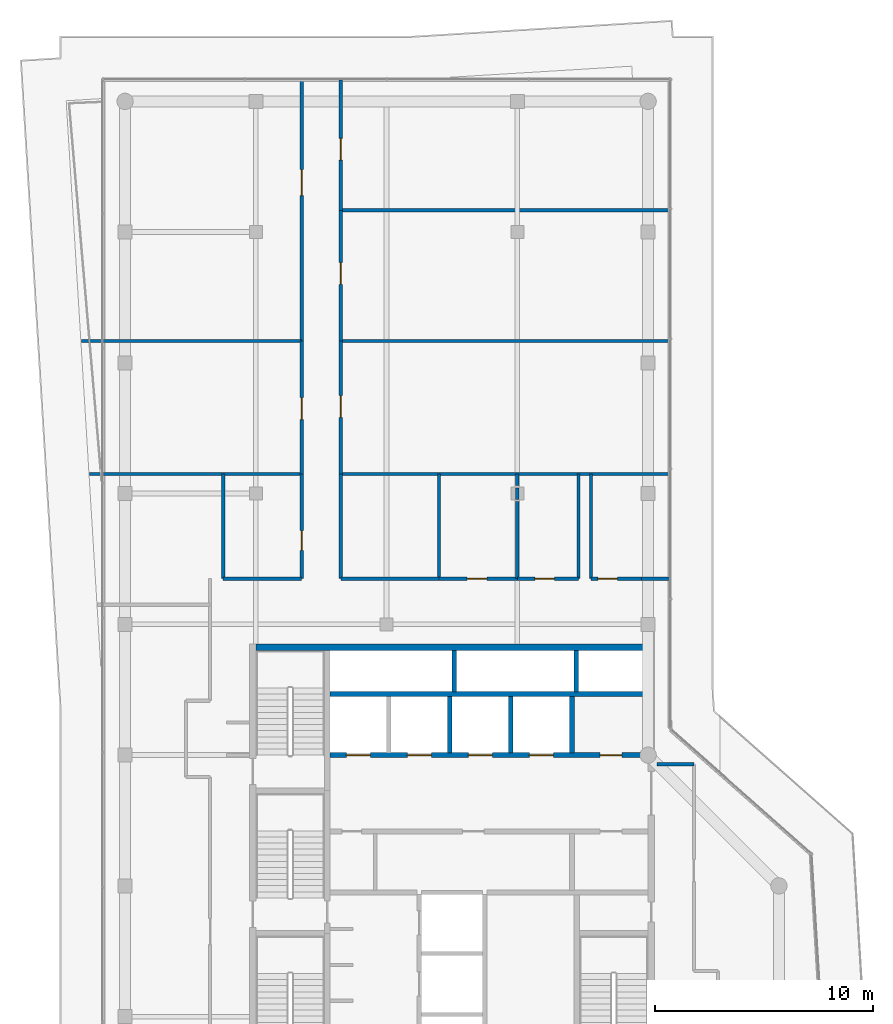
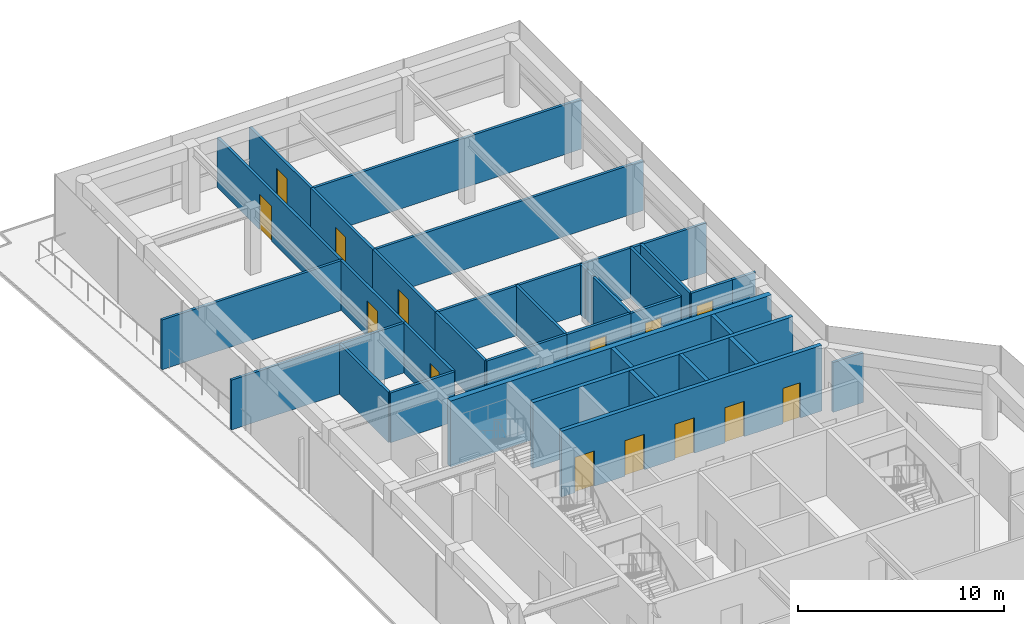
# One storey, part 19 of 22: 34 walls, 14 doors, 14 openings.
"""IFC4 building model written with IfcOpenShell, lengths in metres."""

from ifc_helpers import new_model, si_unit, direction, frame, frame_2d, origin, place, context, subcontext, project, spatial, rectangle, extrude, material, layer, layer_set, type_object, element, fill, save


model = new_model("IFC4")

# Units and contexts
model_context = context("Model", 3, precision=1e-05, world=origin(), true_north=direction((0.0, 1.0)))
body_context = subcontext(model_context, "Body", "Model", "MODEL_VIEW")
ifc_project = project(units=[si_unit("LENGTHUNIT", "METRE"), si_unit("AREAUNIT", "SQUARE_METRE"), si_unit("VOLUMEUNIT", "CUBIC_METRE"), si_unit("PLANEANGLEUNIT", "RADIAN"), si_unit("MASSUNIT", "GRAM", prefix="KILO")], contexts=[model_context])

# Site, building, storey
site_placement = place(None, origin())
site = spatial("IfcSite", under=ifc_project, at=site_placement, CompositionType="ELEMENT")
building_placement = place(site_placement, origin())
building = spatial("IfcBuilding", under=site, at=building_placement, Name="Welwitschia Terrace Campus", CompositionType="ELEMENT")
storey_placement = place(building_placement, frame((0.0, 0.0, 318.800048828125)))
storey = spatial("IfcBuildingStorey", under=building, at=storey_placement, Name="L71", CompositionType="ELEMENT", Elevation=318.800048828125)

# Wall, openings, doors
ifc_material_1 = material(Name="Concrete C32/40", Category="concrete")
ifc_layer_1 = layer(ifc_material_1, 0.22509765625)
ifc_layer_set_1 = layer_set([ifc_layer_1], Name="Concrete C32/40")
wall_type_1 = type_object("IfcWallType", Name="Core partition 225 Concrete C32/40", PredefinedType="PARTITIONING", material=ifc_layer_set_1)
wall_1_placement = place(storey_placement, frame((24.0, 20.0, 0.0), z_axis=(0.0, 0.0, 1.0), x_axis=(-1.0, 0.0, 0.0)))
wall_1 = element("IfcWall", 1, at=wall_1_placement, inside=storey, type_object=wall_type_1, Name="Shaft wall", PredefinedType="PARTITIONING", context=body_context, shape_type="SweptSolid", body=[
    extrude(rectangle(XDim=14.60009765625, YDim=0.22509765625, at=frame_2d((7.300048828125, 0.0))), origin(), (0.0, 0.0, 1.0), 3.89990234375),
])
opening_1_placement = place(wall_1_placement, frame((12.75, 0.0, 0.0)))
opening_1 = element("IfcOpeningElement", 2, at=opening_1_placement, cuts=wall_1, Name="Opening LD", PredefinedType="OPENING", context=body_context, shape_type="SweptSolid", body=[
    extrude(rectangle(XDim=1.10009765625, YDim=2.10009765625, at=frame_2d((0.550048828125, 1.050048828125))), frame((0.0, 0.12255859375, 0.0), z_axis=(0.0, -1.0, 0.0), x_axis=(1.0, 0.0, 0.0)), (0.0, 0.0, 1.0), 0.2451171875),
])
opening_2_placement = place(wall_1_placement, frame((9.949951171875, 0.0, 0.0)))
opening_2 = element("IfcOpeningElement", 3, at=opening_2_placement, cuts=wall_1, Name="Opening LD", PredefinedType="OPENING", context=body_context, shape_type="SweptSolid", body=[
    extrude(rectangle(XDim=1.10009765625, YDim=2.10009765625, at=frame_2d((0.550048828125, 1.050048828125))), frame((0.0, 0.12255859375, 0.0), z_axis=(0.0, -1.0, 0.0), x_axis=(1.0, 0.0, 0.0)), (0.0, 0.0, 1.0), 0.2451171875),
])
opening_3_placement = place(wall_1_placement, frame((7.14990234375, 0.0, 0.0)))
opening_3 = element("IfcOpeningElement", 4, at=opening_3_placement, cuts=wall_1, Name="Opening LD", PredefinedType="OPENING", context=body_context, shape_type="SweptSolid", body=[
    extrude(rectangle(XDim=1.10009765625, YDim=2.10009765625, at=frame_2d((0.550048828125, 1.050048828125))), frame((0.0, 0.12255859375, 0.0), z_axis=(0.0, -1.0, 0.0), x_axis=(1.0, 0.0, 0.0)), (0.0, 0.0, 1.0), 0.2451171875),
])
opening_4_placement = place(wall_1_placement, frame((4.35009765625, 0.0, 0.0)))
opening_4 = element("IfcOpeningElement", 5, at=opening_4_placement, cuts=wall_1, Name="Opening LD", PredefinedType="OPENING", context=body_context, shape_type="SweptSolid", body=[
    extrude(rectangle(XDim=1.10009765625, YDim=2.10009765625, at=frame_2d((0.550048828125, 1.050048828125))), frame((0.0, 0.12255859375, 0.0), z_axis=(0.0, -1.0, 0.0), x_axis=(1.0, 0.0, 0.0)), (0.0, 0.0, 1.0), 0.2451171875),
])
opening_5_placement = place(wall_1_placement, frame((1.199951171875, 0.0, 0.0)))
opening_5 = element("IfcOpeningElement", 6, at=opening_5_placement, cuts=wall_1, Name="Opening DR10", PredefinedType="OPENING", context=body_context, shape_type="SweptSolid", body=[
    extrude(rectangle(XDim=1.0, YDim=2.10009765625, at=frame_2d((0.5, 1.050048828125))), frame((0.0, 0.12255859375, 0.0), z_axis=(0.0, -1.0, 0.0), x_axis=(1.0, 0.0, 0.0)), (0.0, 0.0, 1.0), 0.2451171875),
])
ifc_material_2 = material(Name="Steel S275", Category="steel")
door_type_1 = type_object("IfcDoorType", Name="Core door DR10", OperationType="SINGLE_SWING_LEFT", PredefinedType="DOOR", material=ifc_material_2)
door_1_placement = place(opening_5_placement, origin())
door_1 = element("IfcDoor", 7, at=door_1_placement, inside=storey, type_object=door_type_1, Name="Door EH-D", OperationType="SINGLE_SWING_LEFT", OverallHeight=2.10009765625, OverallWidth=1.0, PredefinedType="DOOR", context=body_context, shape_type="SweptSolid", body=[
    extrude(rectangle(XDim=1.0, YDim=2.10009765625, at=frame_2d((0.5, 1.050048828125))), frame((0.0, 0.02490234375, 0.0), z_axis=(0.0, -1.0, 0.0), x_axis=(1.0, 0.0, 0.0)), (0.0, 0.0, 1.0), 0.050048828125),
])
fill(opening_5, door_1)
ifc_material_3 = material(Name="Stainless steel 304", Category="steel")
door_type_2 = type_object("IfcDoorType", Name="Lift landing door", OperationType="DOUBLE_DOOR_SLIDING", PredefinedType="DOOR", material=ifc_material_3)
door_2_placement = place(opening_1_placement, origin())
door_2 = element("IfcDoor", 8, at=door_2_placement, inside=storey, type_object=door_type_2, Name="Landing door HR1", OperationType="DOUBLE_DOOR_SLIDING", OverallHeight=2.10009765625, OverallWidth=1.10009765625, PredefinedType="DOOR", context=body_context, shape_type="SweptSolid", body=[
    extrude(rectangle(XDim=1.10009765625, YDim=2.10009765625, at=frame_2d((0.550048828125, 1.050048828125))), frame((0.0, 0.02490234375, 0.0), z_axis=(0.0, -1.0, 0.0), x_axis=(1.0, 0.0, 0.0)), (0.0, 0.0, 1.0), 0.050048828125),
])
fill(opening_1, door_2)
door_3_placement = place(opening_2_placement, origin())
door_3 = element("IfcDoor", 9, at=door_3_placement, inside=storey, type_object=door_type_2, Name="Landing door HR2", OperationType="DOUBLE_DOOR_SLIDING", OverallHeight=2.10009765625, OverallWidth=1.10009765625, PredefinedType="DOOR", context=body_context, shape_type="SweptSolid", body=[
    extrude(rectangle(XDim=1.10009765625, YDim=2.10009765625, at=frame_2d((0.550048828125, 1.050048828125))), frame((0.0, 0.02490234375, 0.0), z_axis=(0.0, -1.0, 0.0), x_axis=(1.0, 0.0, 0.0)), (0.0, 0.0, 1.0), 0.050048828125),
])
fill(opening_2, door_3)
door_4_placement = place(opening_3_placement, origin())
door_4 = element("IfcDoor", 10, at=door_4_placement, inside=storey, type_object=door_type_2, Name="Landing door HR3", OperationType="DOUBLE_DOOR_SLIDING", OverallHeight=2.10009765625, OverallWidth=1.10009765625, PredefinedType="DOOR", context=body_context, shape_type="SweptSolid", body=[
    extrude(rectangle(XDim=1.10009765625, YDim=2.10009765625, at=frame_2d((0.550048828125, 1.050048828125))), frame((0.0, 0.02490234375, 0.0), z_axis=(0.0, -1.0, 0.0), x_axis=(1.0, 0.0, 0.0)), (0.0, 0.0, 1.0), 0.050048828125),
])
fill(opening_3, door_4)
door_5_placement = place(opening_4_placement, origin())
door_5 = element("IfcDoor", 11, at=door_5_placement, inside=storey, type_object=door_type_2, Name="Landing door HR4", OperationType="DOUBLE_DOOR_SLIDING", OverallHeight=2.10009765625, OverallWidth=1.10009765625, PredefinedType="DOOR", context=body_context, shape_type="SweptSolid", body=[
    extrude(rectangle(XDim=1.10009765625, YDim=2.10009765625, at=frame_2d((0.550048828125, 1.050048828125))), frame((0.0, 0.02490234375, 0.0), z_axis=(0.0, -1.0, 0.0), x_axis=(1.0, 0.0, 0.0)), (0.0, 0.0, 1.0), 0.050048828125),
])
fill(opening_4, door_5)

# Walls
wall_2_placement = place(storey_placement, frame((9.39990234375, 22.800048828125, 0.0), z_axis=(0.0, 0.0, 1.0), x_axis=(1.0, 0.0, 0.0)))
element("IfcWall", 12, at=wall_2_placement, inside=storey, type_object=wall_type_1, Name="Shaft wall", PredefinedType="PARTITIONING", context=body_context, shape_type="SweptSolid", body=[
    extrude(rectangle(XDim=14.60009765625, YDim=0.22509765625, at=frame_2d((7.300048828125, 0.0))), origin(), (0.0, 0.0, 1.0), 3.89990234375),
])
wall_3_placement = place(storey_placement, frame((20.5, 20.10009765625, 0.0), z_axis=(0.0, 0.0, 1.0), x_axis=(0.0, 1.0, 0.0)))
element("IfcWall", 13, at=wall_3_placement, inside=storey, type_object=wall_type_1, Name="Shaft wall", PredefinedType="PARTITIONING", context=body_context, shape_type="SweptSolid", body=[
    extrude(rectangle(XDim=2.599853515625, YDim=0.22509765625, at=frame_2d((1.2998046875, 0.0))), origin(), (0.0, 0.0, 1.0), 3.89990234375),
])
ifc_material_4 = material(Name="Concrete C50/60", Category="concrete")
ifc_layer_2 = layer(ifc_material_4, 0.199951171875)
ifc_layer_set_2 = layer_set([ifc_layer_2], Name="Concrete C50/60")
wall_type_2 = type_object("IfcWallType", Name="Core wall 200 Concrete C50/60", PredefinedType="SHEAR", material=ifc_layer_set_2)
for number, where, z_axis, x_axis, name in (
    (14, (15.10009765625, 22.89990234375, 0.0), (0.0, 0.0, 1.0), (0.0, 1.0, 0.0), "Core wall"),
    (15, (20.699951171875, 22.89990234375, 0.0), (0.0, 0.0, 1.0), (0.0, 1.0, 0.0), "Core wall"),
):
    element("IfcWall", number, at=place(storey_placement, frame(where, z_axis=z_axis, x_axis=x_axis)), inside=storey, type_object=wall_type_2, Name=name, PredefinedType="SHEAR", context=body_context, shape_type="SweptSolid", body=[
        extrude(rectangle(XDim=1.900146484375, YDim=0.199951171875, at=frame_2d((0.9501953125, 0.0))), origin(), (0.0, 0.0, 1.0), 3.89990234375),
    ])
ifc_material_5 = material(Name="Concrete C50/60", Category="concrete")
ifc_layer_3 = layer(ifc_material_5, 0.300048828125)
ifc_layer_set_3 = layer_set([ifc_layer_3], Name="Concrete C50/60")
wall_type_3 = type_object("IfcWallType", Name="Core wall 300 Concrete C50/60", PredefinedType="SHEAR", material=ifc_layer_set_3)
wall_4_placement = place(storey_placement, frame((6.0, 24.949951171875, 0.0), z_axis=(0.0, 0.0, 1.0), x_axis=(1.0, 0.0, 0.0)))
element("IfcWall", 16, at=wall_4_placement, inside=storey, type_object=wall_type_3, Name="Core outer wall", PredefinedType="SHEAR", context=body_context, shape_type="SweptSolid", body=[
    extrude(rectangle(XDim=18.0, YDim=0.300048828125, at=frame_2d((9.0, 0.0))), origin(), (0.0, 0.0, 1.0), 3.89990234375),
])
ifc_material_6 = material(Name="Gypsum board on steel studs", Category="steel")
ifc_layer_4 = layer(ifc_material_6, 0.14990234375)
ifc_layer_set_4 = layer_set([ifc_layer_4], Name="Gypsum board on steel studs")
wall_type_4 = type_object("IfcWallType", Name="Corridor partition 150 EI 30", PredefinedType="PARTITIONING", material=ifc_layer_set_4)
wall_5_placement = place(storey_placement, frame((-2.010009765625, 39.0, 0.0), z_axis=(0.0, 0.0, 1.0), x_axis=(1.0, 0.0, 0.0)))
element("IfcWall", 17, at=wall_5_placement, inside=storey, type_object=wall_type_4, Name="Partition", PredefinedType="PARTITIONING", context=body_context, shape_type="SweptSolid", body=[
    extrude(rectangle(XDim=10.110107421875, YDim=0.14990234375, at=frame_2d((5.05517578125, 0.0))), origin(), (0.0, 0.0, 1.0), 2.949951171875),
])
wall_6_placement = place(storey_placement, frame((-1.639892578125, 32.89990234375, 0.0), z_axis=(0.0, 0.0, 1.0), x_axis=(1.0, 0.0, 0.0)))
element("IfcWall", 18, at=wall_6_placement, inside=storey, type_object=wall_type_4, Name="Partition", PredefinedType="PARTITIONING", context=body_context, shape_type="SweptSolid", body=[
    extrude(rectangle(XDim=9.739990234375, YDim=0.14990234375, at=frame_2d((4.8701171875, 0.0))), origin(), (0.0, 0.0, 1.0), 2.949951171875),
])
wall_7_placement = place(storey_placement, frame((4.5, 28.10009765625, 0.0), z_axis=(0.0, 0.0, 1.0), x_axis=(0.0, 1.0, 0.0)))
element("IfcWall", 19, at=wall_7_placement, inside=storey, type_object=wall_type_4, Name="Partition", PredefinedType="PARTITIONING", context=body_context, shape_type="SweptSolid", body=[
    extrude(rectangle(XDim=4.7998046875, YDim=0.14990234375, at=frame_2d((2.39990234375, 0.0))), origin(), (0.0, 0.0, 1.0), 2.949951171875),
])
wall_8_placement = place(storey_placement, frame((4.5, 28.10009765625, 0.0), z_axis=(0.0, 0.0, 1.0), x_axis=(1.0, 0.0, 0.0)))
element("IfcWall", 20, at=wall_8_placement, inside=storey, type_object=wall_type_4, Name="Partition", PredefinedType="PARTITIONING", context=body_context, shape_type="SweptSolid", body=[
    extrude(rectangle(XDim=3.60009765625, YDim=0.14990234375, at=frame_2d((1.800048828125, 0.0))), origin(), (0.0, 0.0, 1.0), 2.949951171875),
])

# Wall, opening, door
wall_9_placement = place(storey_placement, frame((8.10009765625, 28.10009765625, 0.0), z_axis=(0.0, 0.0, 1.0), x_axis=(0.0, 1.0, 0.0)))
wall_9 = element("IfcWall", 21, at=wall_9_placement, inside=storey, type_object=wall_type_4, Name="Partition", PredefinedType="PARTITIONING", context=body_context, shape_type="SweptSolid", body=[
    extrude(rectangle(XDim=4.7998046875, YDim=0.14990234375, at=frame_2d((2.39990234375, 0.0))), origin(), (0.0, 0.0, 1.0), 2.949951171875),
])
opening_6_placement = place(wall_9_placement, frame((1.300048828125, 0.0, 0.0)))
opening_6 = element("IfcOpeningElement", 22, at=opening_6_placement, cuts=wall_9, Name="Opening DI09", PredefinedType="OPENING", context=body_context, shape_type="SweptSolid", body=[
    extrude(rectangle(XDim=0.89990234375, YDim=2.10009765625, at=frame_2d((0.449951171875, 1.050048828125))), frame((0.0, 0.0849609375, 0.0), z_axis=(0.0, -1.0, 0.0), x_axis=(1.0, 0.0, 0.0)), (0.0, 0.0, 1.0), 0.169921875),
])
ifc_material_7 = material(Name="Timber veneered door", Category="wood")
door_type_3 = type_object("IfcDoorType", Name="Interior door DI09", OperationType="NOTDEFINED", PredefinedType="DOOR", material=ifc_material_7)
door_6_placement = place(opening_6_placement, origin())
door_6 = element("IfcDoor", 23, at=door_6_placement, inside=storey, type_object=door_type_3, Name="Door L71 1243", OperationType="SINGLE_SWING_RIGHT", OverallHeight=2.10009765625, OverallWidth=0.89990234375, PredefinedType="DOOR", context=body_context, shape_type="SweptSolid", body=[
    extrude(rectangle(XDim=0.89990234375, YDim=2.10009765625, at=frame_2d((0.449951171875, 1.050048828125))), frame((0.0, 0.02490234375, 0.0), z_axis=(0.0, -1.0, 0.0), x_axis=(1.0, 0.0, 0.0)), (0.0, 0.0, 1.0), 0.050048828125),
])
fill(opening_6, door_6)

wall_10_placement = place(storey_placement, frame((8.10009765625, 32.89990234375, 0.0), z_axis=(0.0, 0.0, 1.0), x_axis=(0.0, 1.0, 0.0)))
wall_10 = element("IfcWall", 24, at=wall_10_placement, inside=storey, type_object=wall_type_4, Name="Partition", PredefinedType="PARTITIONING", context=body_context, shape_type="SweptSolid", body=[
    extrude(rectangle(XDim=6.10009765625, YDim=0.14990234375, at=frame_2d((3.050048828125, 0.0))), origin(), (0.0, 0.0, 1.0), 2.949951171875),
])
opening_7_placement = place(wall_10_placement, frame((2.5, 0.0, 0.0)))
opening_7 = element("IfcOpeningElement", 25, at=opening_7_placement, cuts=wall_10, Name="Opening DI10", PredefinedType="OPENING", context=body_context, shape_type="SweptSolid", body=[
    extrude(rectangle(XDim=1.0, YDim=2.10009765625, at=frame_2d((0.5, 1.050048828125))), frame((0.0, 0.0849609375, 0.0), z_axis=(0.0, -1.0, 0.0), x_axis=(1.0, 0.0, 0.0)), (0.0, 0.0, 1.0), 0.169921875),
])
ifc_material_8 = material(Name="Timber veneered door", Category="wood")
door_type_4 = type_object("IfcDoorType", Name="Interior door DI10", OperationType="NOTDEFINED", PredefinedType="DOOR", material=ifc_material_8)
door_7_placement = place(opening_7_placement, origin())
door_7 = element("IfcDoor", 26, at=door_7_placement, inside=storey, type_object=door_type_4, Name="Door L71 1244", OperationType="SINGLE_SWING_LEFT", OverallHeight=2.10009765625, OverallWidth=1.0, PredefinedType="DOOR", context=body_context, shape_type="SweptSolid", body=[
    extrude(rectangle(XDim=1.0, YDim=2.10009765625, at=frame_2d((0.5, 1.050048828125))), frame((0.0, 0.02490234375, 0.0), z_axis=(0.0, -1.0, 0.0), x_axis=(1.0, 0.0, 0.0)), (0.0, 0.0, 1.0), 0.050048828125),
])
fill(opening_7, door_7)

wall_11_placement = place(storey_placement, frame((8.10009765625, 39.0, 0.0), z_axis=(0.0, 0.0, 1.0), x_axis=(0.0, 1.0, 0.0)))
wall_11 = element("IfcWall", 27, at=wall_11_placement, inside=storey, type_object=wall_type_4, Name="Partition", PredefinedType="PARTITIONING", context=body_context, shape_type="SweptSolid", body=[
    extrude(rectangle(XDim=11.969970703125, YDim=0.14990234375, at=frame_2d((5.98486328125, 0.0))), origin(), (0.0, 0.0, 1.0), 2.949951171875),
])
opening_8_placement = place(wall_11_placement, frame((6.669921875, 0.0, 0.0)))
opening_8 = element("IfcOpeningElement", 28, at=opening_8_placement, cuts=wall_11, Name="Opening DI12", PredefinedType="OPENING", context=body_context, shape_type="SweptSolid", body=[
    extrude(rectangle(XDim=1.199951171875, YDim=2.10009765625, at=frame_2d((0.60009765625, 1.050048828125))), frame((0.0, 0.0849609375, 0.0), z_axis=(0.0, -1.0, 0.0), x_axis=(1.0, 0.0, 0.0)), (0.0, 0.0, 1.0), 0.169921875),
])
ifc_material_9 = material(Name="Timber veneered door", Category="wood")
door_type_5 = type_object("IfcDoorType", Name="Interior door DI12", OperationType="NOTDEFINED", PredefinedType="DOOR", material=ifc_material_9)
door_8_placement = place(opening_8_placement, origin())
door_8 = element("IfcDoor", 29, at=door_8_placement, inside=storey, type_object=door_type_5, Name="Door L71 1245", OperationType="SINGLE_SWING_RIGHT", OverallHeight=2.10009765625, OverallWidth=1.199951171875, PredefinedType="DOOR", context=body_context, shape_type="SweptSolid", body=[
    extrude(rectangle(XDim=1.199951171875, YDim=2.10009765625, at=frame_2d((0.60009765625, 1.050048828125))), frame((0.0, 0.02490234375, 0.0), z_axis=(0.0, -1.0, 0.0), x_axis=(1.0, 0.0, 0.0)), (0.0, 0.0, 1.0), 0.050048828125),
])
fill(opening_8, door_8)

# Walls
wall_12_placement = place(storey_placement, frame((9.89990234375, 28.10009765625, 0.0), z_axis=(0.0, 0.0, 1.0), x_axis=(0.0, 1.0, 0.0)))
element("IfcWall", 30, at=wall_12_placement, inside=storey, type_object=wall_type_4, Name="Partition", PredefinedType="PARTITIONING", context=body_context, shape_type="SweptSolid", body=[
    extrude(rectangle(XDim=4.7998046875, YDim=0.14990234375, at=frame_2d((2.39990234375, 0.0))), origin(), (0.0, 0.0, 1.0), 2.949951171875),
])
wall_13_placement = place(storey_placement, frame((9.89990234375, 28.10009765625, 0.0), z_axis=(0.0, 0.0, 1.0), x_axis=(1.0, 0.0, 0.0)))
element("IfcWall", 31, at=wall_13_placement, inside=storey, type_object=wall_type_4, Name="Partition", PredefinedType="PARTITIONING", context=body_context, shape_type="SweptSolid", body=[
    extrude(rectangle(XDim=4.5, YDim=0.14990234375, at=frame_2d((2.25, 0.0))), origin(), (0.0, 0.0, 1.0), 2.949951171875),
])
wall_14_placement = place(storey_placement, frame((9.89990234375, 32.89990234375, 0.0), z_axis=(0.0, 0.0, 1.0), x_axis=(1.0, 0.0, 0.0)))
element("IfcWall", 32, at=wall_14_placement, inside=storey, type_object=wall_type_4, Name="Partition", PredefinedType="PARTITIONING", context=body_context, shape_type="SweptSolid", body=[
    extrude(rectangle(XDim=15.080078125, YDim=0.14990234375, at=frame_2d((7.5400390625, 0.0))), origin(), (0.0, 0.0, 1.0), 2.949951171875),
])

# Wall, opening, door
wall_15_placement = place(storey_placement, frame((9.89990234375, 39.0, 0.0), z_axis=(0.0, 0.0, 1.0), x_axis=(0.0, -1.0, 0.0)))
wall_15 = element("IfcWall", 33, at=wall_15_placement, inside=storey, type_object=wall_type_4, Name="Partition", PredefinedType="PARTITIONING", context=body_context, shape_type="SweptSolid", body=[
    extrude(rectangle(XDim=6.10009765625, YDim=0.14990234375, at=frame_2d((3.050048828125, 0.0))), origin(), (0.0, 0.0, 1.0), 2.949951171875),
])
opening_9_placement = place(wall_15_placement, frame((2.5, 0.0, 0.0)))
opening_9 = element("IfcOpeningElement", 34, at=opening_9_placement, cuts=wall_15, Name="Opening DI10", PredefinedType="OPENING", context=body_context, shape_type="SweptSolid", body=[
    extrude(rectangle(XDim=1.0, YDim=2.10009765625, at=frame_2d((0.5, 1.050048828125))), frame((0.0, 0.0849609375, 0.0), z_axis=(0.0, -1.0, 0.0), x_axis=(1.0, 0.0, 0.0)), (0.0, 0.0, 1.0), 0.169921875),
])
door_9_placement = place(opening_9_placement, origin())
door_9 = element("IfcDoor", 35, at=door_9_placement, inside=storey, type_object=door_type_4, Name="Door L71 1246", OperationType="SINGLE_SWING_LEFT", OverallHeight=2.10009765625, OverallWidth=1.0, PredefinedType="DOOR", context=body_context, shape_type="SweptSolid", body=[
    extrude(rectangle(XDim=1.0, YDim=2.10009765625, at=frame_2d((0.5, 1.050048828125))), frame((0.0, 0.02490234375, 0.0), z_axis=(0.0, -1.0, 0.0), x_axis=(1.0, 0.0, 0.0)), (0.0, 0.0, 1.0), 0.050048828125),
])
fill(opening_9, door_9)

# Wall
wall_16_placement = place(storey_placement, frame((9.89990234375, 39.0, 0.0), z_axis=(0.0, 0.0, 1.0), x_axis=(1.0, 0.0, 0.0)))
element("IfcWall", 36, at=wall_16_placement, inside=storey, type_object=wall_type_4, Name="Partition", PredefinedType="PARTITIONING", context=body_context, shape_type="SweptSolid", body=[
    extrude(rectangle(XDim=15.0751953125, YDim=0.14990234375, at=frame_2d((7.53759765625, 0.0))), origin(), (0.0, 0.0, 1.0), 2.949951171875),
])

# Wall, opening, door
wall_17_placement = place(storey_placement, frame((9.89990234375, 45.0, 0.0), z_axis=(0.0, 0.0, 1.0), x_axis=(0.0, -1.0, 0.0)))
wall_17 = element("IfcWall", 37, at=wall_17_placement, inside=storey, type_object=wall_type_4, Name="Partition", PredefinedType="PARTITIONING", context=body_context, shape_type="SweptSolid", body=[
    extrude(rectangle(XDim=6.0, YDim=0.14990234375, at=frame_2d((3.0, 0.0))), origin(), (0.0, 0.0, 1.0), 2.949951171875),
])
opening_10_placement = place(wall_17_placement, frame((2.39990234375, 0.0, 0.0)))
opening_10 = element("IfcOpeningElement", 38, at=opening_10_placement, cuts=wall_17, Name="Opening DI10", PredefinedType="OPENING", context=body_context, shape_type="SweptSolid", body=[
    extrude(rectangle(XDim=1.0, YDim=2.10009765625, at=frame_2d((0.5, 1.050048828125))), frame((0.0, 0.0849609375, 0.0), z_axis=(0.0, -1.0, 0.0), x_axis=(1.0, 0.0, 0.0)), (0.0, 0.0, 1.0), 0.169921875),
])
door_10_placement = place(opening_10_placement, origin())
door_10 = element("IfcDoor", 39, at=door_10_placement, inside=storey, type_object=door_type_4, Name="Door L71 1247", OperationType="SINGLE_SWING_RIGHT", OverallHeight=2.10009765625, OverallWidth=1.0, PredefinedType="DOOR", context=body_context, shape_type="SweptSolid", body=[
    extrude(rectangle(XDim=1.0, YDim=2.10009765625, at=frame_2d((0.5, 1.050048828125))), frame((0.0, 0.02490234375, 0.0), z_axis=(0.0, -1.0, 0.0), x_axis=(1.0, 0.0, 0.0)), (0.0, 0.0, 1.0), 0.050048828125),
])
fill(opening_10, door_10)

# Wall
wall_18_placement = place(storey_placement, frame((9.89990234375, 45.0, 0.0), z_axis=(0.0, 0.0, 1.0), x_axis=(1.0, 0.0, 0.0)))
element("IfcWall", 40, at=wall_18_placement, inside=storey, type_object=wall_type_4, Name="Partition", PredefinedType="PARTITIONING", context=body_context, shape_type="SweptSolid", body=[
    extrude(rectangle(XDim=15.0751953125, YDim=0.14990234375, at=frame_2d((7.53759765625, 0.0))), origin(), (0.0, 0.0, 1.0), 2.949951171875),
])

# Wall, opening, door
wall_19_placement = place(storey_placement, frame((9.89990234375, 50.969970703125, 0.0), z_axis=(0.0, 0.0, 1.0), x_axis=(0.0, -1.0, 0.0)))
wall_19 = element("IfcWall", 41, at=wall_19_placement, inside=storey, type_object=wall_type_4, Name="Partition", PredefinedType="PARTITIONING", context=body_context, shape_type="SweptSolid", body=[
    extrude(rectangle(XDim=5.969970703125, YDim=0.14990234375, at=frame_2d((2.98486328125, 0.0))), origin(), (0.0, 0.0, 1.0), 2.949951171875),
])
opening_11_placement = place(wall_19_placement, frame((2.669921875, 0.0, 0.0)))
opening_11 = element("IfcOpeningElement", 42, at=opening_11_placement, cuts=wall_19, Name="Opening DI10", PredefinedType="OPENING", context=body_context, shape_type="SweptSolid", body=[
    extrude(rectangle(XDim=1.0, YDim=2.10009765625, at=frame_2d((0.5, 1.050048828125))), frame((0.0, 0.0849609375, 0.0), z_axis=(0.0, -1.0, 0.0), x_axis=(1.0, 0.0, 0.0)), (0.0, 0.0, 1.0), 0.169921875),
])
door_11_placement = place(opening_11_placement, origin())
door_11 = element("IfcDoor", 43, at=door_11_placement, inside=storey, type_object=door_type_4, Name="Door L71 1248", OperationType="SINGLE_SWING_LEFT", OverallHeight=2.10009765625, OverallWidth=1.0, PredefinedType="DOOR", context=body_context, shape_type="SweptSolid", body=[
    extrude(rectangle(XDim=1.0, YDim=2.10009765625, at=frame_2d((0.5, 1.050048828125))), frame((0.0, 0.02490234375, 0.0), z_axis=(0.0, -1.0, 0.0), x_axis=(1.0, 0.0, 0.0)), (0.0, 0.0, 1.0), 0.050048828125),
])
fill(opening_11, door_11)

# Wall
wall_20_placement = place(storey_placement, frame((14.39990234375, 28.10009765625, 0.0), z_axis=(0.0, 0.0, 1.0), x_axis=(0.0, 1.0, 0.0)))
element("IfcWall", 44, at=wall_20_placement, inside=storey, type_object=wall_type_4, Name="Partition", PredefinedType="PARTITIONING", context=body_context, shape_type="SweptSolid", body=[
    extrude(rectangle(XDim=4.7998046875, YDim=0.14990234375, at=frame_2d((2.39990234375, 0.0))), origin(), (0.0, 0.0, 1.0), 2.949951171875),
])

# Wall, opening, door
wall_21_placement = place(storey_placement, frame((14.39990234375, 28.10009765625, 0.0), z_axis=(0.0, 0.0, 1.0), x_axis=(1.0, 0.0, 0.0)))
wall_21 = element("IfcWall", 45, at=wall_21_placement, inside=storey, type_object=wall_type_4, Name="Partition", PredefinedType="PARTITIONING", context=body_context, shape_type="SweptSolid", body=[
    extrude(rectangle(XDim=3.60009765625, YDim=0.14990234375, at=frame_2d((1.800048828125, 0.0))), origin(), (0.0, 0.0, 1.0), 2.949951171875),
])
opening_12_placement = place(wall_21_placement, frame((1.300048828125, 0.0, 0.0)))
opening_12 = element("IfcOpeningElement", 46, at=opening_12_placement, cuts=wall_21, Name="Opening DI09", PredefinedType="OPENING", context=body_context, shape_type="SweptSolid", body=[
    extrude(rectangle(XDim=0.89990234375, YDim=2.10009765625, at=frame_2d((0.449951171875, 1.050048828125))), frame((0.0, 0.0849609375, 0.0), z_axis=(0.0, -1.0, 0.0), x_axis=(1.0, 0.0, 0.0)), (0.0, 0.0, 1.0), 0.169921875),
])
door_12_placement = place(opening_12_placement, origin())
door_12 = element("IfcDoor", 47, at=door_12_placement, inside=storey, type_object=door_type_3, Name="Door L71 1249", OperationType="SINGLE_SWING_RIGHT", OverallHeight=2.10009765625, OverallWidth=0.89990234375, PredefinedType="DOOR", context=body_context, shape_type="SweptSolid", body=[
    extrude(rectangle(XDim=0.89990234375, YDim=2.10009765625, at=frame_2d((0.449951171875, 1.050048828125))), frame((0.0, 0.02490234375, 0.0), z_axis=(0.0, -1.0, 0.0), x_axis=(1.0, 0.0, 0.0)), (0.0, 0.0, 1.0), 0.050048828125),
])
fill(opening_12, door_12)

# Wall
wall_22_placement = place(storey_placement, frame((18.0, 28.10009765625, 0.0), z_axis=(0.0, 0.0, 1.0), x_axis=(0.0, 1.0, 0.0)))
element("IfcWall", 48, at=wall_22_placement, inside=storey, type_object=wall_type_4, Name="Partition", PredefinedType="PARTITIONING", context=body_context, shape_type="SweptSolid", body=[
    extrude(rectangle(XDim=3.52978515625, YDim=0.14990234375, at=frame_2d((1.764892578125, 0.0))), origin(), (0.0, 0.0, 1.0), 2.949951171875),
])

# Wall, opening, door
wall_23_placement = place(storey_placement, frame((18.0, 28.10009765625, 0.0), z_axis=(0.0, 0.0, 1.0), x_axis=(1.0, 0.0, 0.0)))
wall_23 = element("IfcWall", 49, at=wall_23_placement, inside=storey, type_object=wall_type_4, Name="Partition", PredefinedType="PARTITIONING", context=body_context, shape_type="SweptSolid", body=[
    extrude(rectangle(XDim=2.800048828125, YDim=0.14990234375, at=frame_2d((1.39990234375, 0.0))), origin(), (0.0, 0.0, 1.0), 2.949951171875),
])
opening_13_placement = place(wall_23_placement, frame((0.800048828125, 0.0, 0.0)))
opening_13 = element("IfcOpeningElement", 50, at=opening_13_placement, cuts=wall_23, Name="Opening DI09", PredefinedType="OPENING", context=body_context, shape_type="SweptSolid", body=[
    extrude(rectangle(XDim=0.89990234375, YDim=2.10009765625, at=frame_2d((0.449951171875, 1.050048828125))), frame((0.0, 0.0849609375, 0.0), z_axis=(0.0, -1.0, 0.0), x_axis=(1.0, 0.0, 0.0)), (0.0, 0.0, 1.0), 0.169921875),
])
door_13_placement = place(opening_13_placement, origin())
door_13 = element("IfcDoor", 51, at=door_13_placement, inside=storey, type_object=door_type_3, Name="Door L71 1250", OperationType="SINGLE_SWING_LEFT", OverallHeight=2.10009765625, OverallWidth=0.89990234375, PredefinedType="DOOR", context=body_context, shape_type="SweptSolid", body=[
    extrude(rectangle(XDim=0.89990234375, YDim=2.10009765625, at=frame_2d((0.449951171875, 1.050048828125))), frame((0.0, 0.02490234375, 0.0), z_axis=(0.0, -1.0, 0.0), x_axis=(1.0, 0.0, 0.0)), (0.0, 0.0, 1.0), 0.050048828125),
])
fill(opening_13, door_13)

# Walls
wall_24_placement = place(storey_placement, frame((18.0, 31.735595703125, 0.0), z_axis=(0.0, 0.0, 1.0), x_axis=(0.0, 1.0, 0.0)))
element("IfcWall", 52, at=wall_24_placement, inside=storey, type_object=wall_type_4, Name="Partition", PredefinedType="PARTITIONING", context=body_context, shape_type="SweptSolid", body=[
    extrude(rectangle(XDim=0.52880859375, YDim=0.14990234375, at=frame_2d((0.264404296875, 0.0))), origin(), (0.0, 0.0, 1.0), 2.949951171875),
])
wall_25_placement = place(storey_placement, frame((18.0, 32.3701171875, 0.0), z_axis=(0.0, 0.0, 1.0), x_axis=(0.0, 1.0, 0.0)))
element("IfcWall", 53, at=wall_25_placement, inside=storey, type_object=wall_type_4, Name="Partition", PredefinedType="PARTITIONING", context=body_context, shape_type="SweptSolid", body=[
    extrude(rectangle(XDim=0.52978515625, YDim=0.14990234375, at=frame_2d((0.264892578125, 0.0))), origin(), (0.0, 0.0, 1.0), 2.949951171875),
])
for number, where, z_axis, x_axis, name in (
    (54, (20.800048828125, 28.10009765625, 0.0), (0.0, 0.0, 1.0), (0.0, 1.0, 0.0), "Partition"),
    (55, (21.3798828125, 28.10009765625, 0.0), (0.0, 0.0, 1.0), (0.0, 1.0, 0.0), "Partition"),
):
    element("IfcWall", number, at=place(storey_placement, frame(where, z_axis=z_axis, x_axis=x_axis)), inside=storey, type_object=wall_type_4, Name=name, PredefinedType="PARTITIONING", context=body_context, shape_type="SweptSolid", body=[
        extrude(rectangle(XDim=4.7998046875, YDim=0.14990234375, at=frame_2d((2.39990234375, 0.0))), origin(), (0.0, 0.0, 1.0), 2.949951171875),
    ])

# Wall, opening, door
wall_26_placement = place(storey_placement, frame((21.3798828125, 28.10009765625, 0.0), z_axis=(0.0, 0.0, 1.0), x_axis=(1.0, 0.0, 0.0)))
wall_26 = element("IfcWall", 56, at=wall_26_placement, inside=storey, type_object=wall_type_4, Name="Partition", PredefinedType="PARTITIONING", context=body_context, shape_type="SweptSolid", body=[
    extrude(rectangle(XDim=2.31005859375, YDim=0.14990234375, at=frame_2d((1.155029296875, 0.0))), origin(), (0.0, 0.0, 1.0), 2.949951171875),
])
opening_14_placement = place(wall_26_placement, frame((0.31005859375, 0.0, 0.0)))
opening_14 = element("IfcOpeningElement", 57, at=opening_14_placement, cuts=wall_26, Name="Opening DI09", PredefinedType="OPENING", context=body_context, shape_type="SweptSolid", body=[
    extrude(rectangle(XDim=0.89990234375, YDim=2.10009765625, at=frame_2d((0.449951171875, 1.050048828125))), frame((0.0, 0.0849609375, 0.0), z_axis=(0.0, -1.0, 0.0), x_axis=(1.0, 0.0, 0.0)), (0.0, 0.0, 1.0), 0.169921875),
])
door_14_placement = place(opening_14_placement, origin())
door_14 = element("IfcDoor", 58, at=door_14_placement, inside=storey, type_object=door_type_3, Name="Door L71 1251", OperationType="SINGLE_SWING_RIGHT", OverallHeight=2.10009765625, OverallWidth=0.89990234375, PredefinedType="DOOR", context=body_context, shape_type="SweptSolid", body=[
    extrude(rectangle(XDim=0.89990234375, YDim=2.10009765625, at=frame_2d((0.449951171875, 1.050048828125))), frame((0.0, 0.02490234375, 0.0), z_axis=(0.0, -1.0, 0.0), x_axis=(1.0, 0.0, 0.0)), (0.0, 0.0, 1.0), 0.050048828125),
])
fill(opening_14, door_14)

# Walls
wall_27_placement = place(storey_placement, frame((23.68994140625, 28.10009765625, 0.0), z_axis=(0.0, 0.0, 1.0), x_axis=(1.0, 0.0, 0.0)))
element("IfcWall", 59, at=wall_27_placement, inside=storey, type_object=wall_type_4, Name="Partition", PredefinedType="PARTITIONING", context=body_context, shape_type="SweptSolid", body=[
    extrude(rectangle(XDim=1.2900390625, YDim=0.14990234375, at=frame_2d((0.64501953125, 0.0))), origin(), (0.0, 0.0, 1.0), 2.949951171875),
])
wall_28_placement = place(storey_placement, frame((24.39990234375, 19.580078125, 0.0), z_axis=(0.0, 0.0, 1.0), x_axis=(1.0, 0.0, 0.0)))
element("IfcWall", 60, at=wall_28_placement, inside=storey, type_object=wall_type_4, Name="Partition", PredefinedType="PARTITIONING", context=body_context, shape_type="SweptSolid", body=[
    extrude(rectangle(XDim=1.7001953125, YDim=0.14990234375, at=frame_2d((0.85009765625, 0.0))), origin(), (0.0, 0.0, 1.0), 2.949951171875),
])
ifc_material_10 = material(Name="Concrete C32/40", Category="concrete")
ifc_layer_5 = layer(ifc_material_10, 0.199951171875)
ifc_layer_set_5 = layer_set([ifc_layer_5], Name="Concrete C32/40")
wall_type_5 = type_object("IfcWallType", Name="Shaft wall 200 Concrete C32/40", PredefinedType="SOLIDWALL", material=ifc_layer_set_5)
for number, where, z_axis, x_axis, name in (
    (61, (14.89990234375, 20.10009765625, 0.0), (0.0, 0.0, 1.0), (0.0, 1.0, 0.0), "Shaft wall"),
    (62, (17.699951171875, 20.10009765625, 0.0), (0.0, 0.0, 1.0), (0.0, 1.0, 0.0), "Shaft wall"),
):
    element("IfcWall", number, at=place(storey_placement, frame(where, z_axis=z_axis, x_axis=x_axis)), inside=storey, type_object=wall_type_5, Name=name, PredefinedType="SOLIDWALL", context=body_context, shape_type="SweptSolid", body=[
        extrude(rectangle(XDim=2.599853515625, YDim=0.199951171875, at=frame_2d((1.2998046875, 0.0))), origin(), (0.0, 0.0, 1.0), 3.89990234375),
    ])

save(model, "model.ifc")
